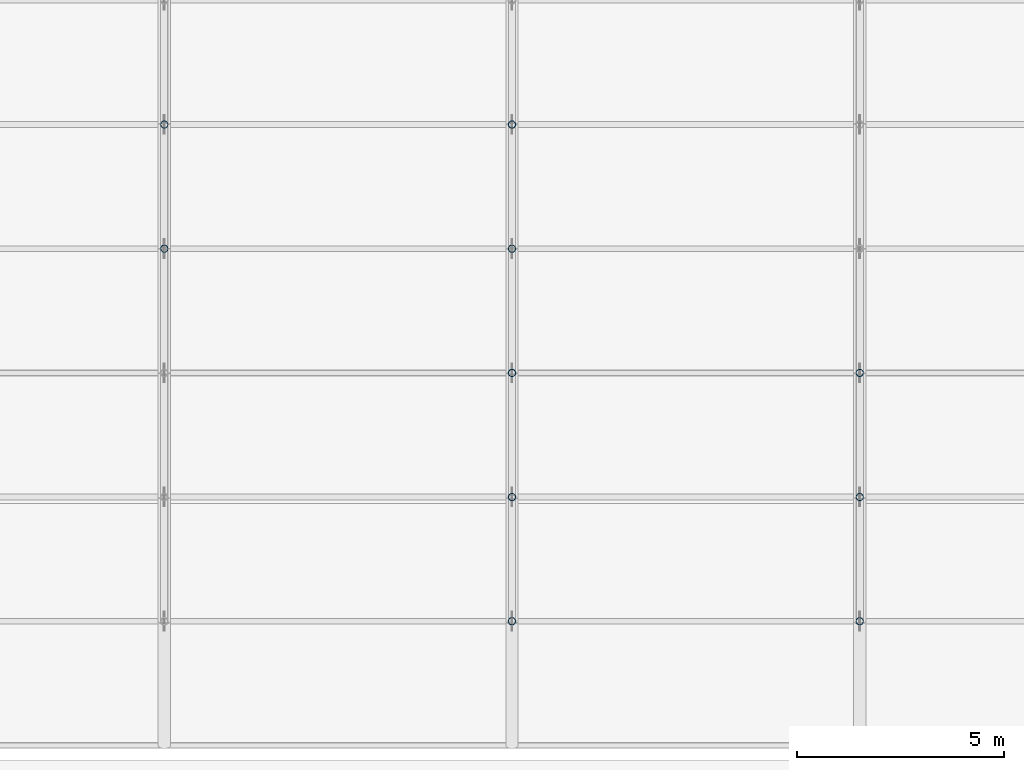
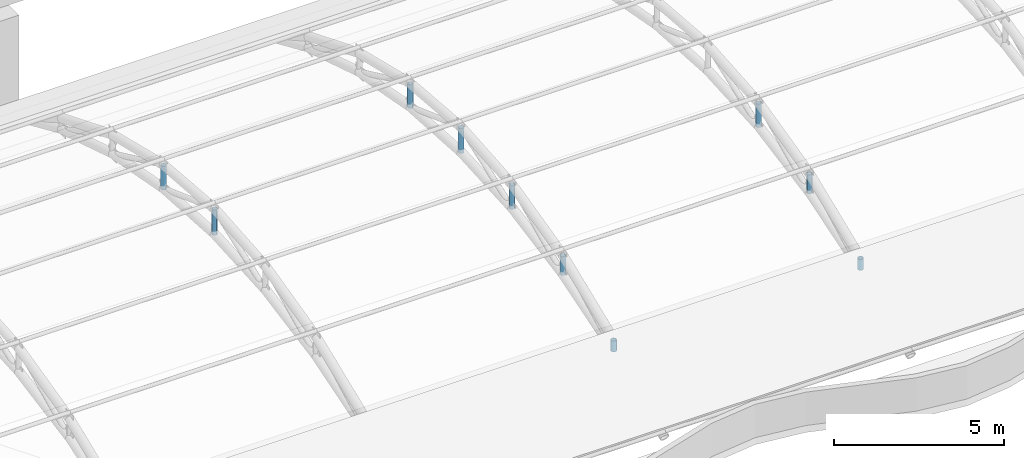
# One storey, part 82 of 163: 10 members.
"""IFC4 building model written with IfcOpenShell, lengths in metres."""

from ifc_helpers import new_model, si_unit, direction, frame, origin, origin_2d, place, context, subcontext, project, spatial, hollow_circle, extrude, material, material_profile, profile_set, type_object, element, save


model = new_model("IFC4")

# Units and contexts
model_context = context("Model", 3, precision=1e-05, world=origin(), true_north=direction((0.0, 1.0)))
body_context = subcontext(model_context, "Body", "Model", "MODEL_VIEW")
ifc_project = project(units=[si_unit("LENGTHUNIT", "METRE"), si_unit("AREAUNIT", "SQUARE_METRE"), si_unit("VOLUMEUNIT", "CUBIC_METRE"), si_unit("PLANEANGLEUNIT", "RADIAN"), si_unit("MASSUNIT", "GRAM", prefix="KILO")], contexts=[model_context])

# Site, building, storey
site_placement = place(None, origin())
site = spatial("IfcSite", under=ifc_project, at=site_placement, CompositionType="ELEMENT")
building_placement = place(site_placement, origin())
building = spatial("IfcBuilding", under=site, at=building_placement, Name="Rain Tree Exposition and Congress Centre", CompositionType="ELEMENT")
storey_placement = place(building_placement, frame((0.0, 0.0, 10.5)))
storey = spatial("IfcBuildingStorey", under=building, at=storey_placement, Name="L02", CompositionType="ELEMENT", Elevation=10.5)

# Members
ifc_material = material(Name="Steel S355J2H", Category="steel")
ifc_material_profile = material_profile(ifc_material, hollow_circle(Radius=0.090087890625, WallThickness=0.008056640625, at=origin_2d()), Name="CHS 180x8")
ifc_profile_set = profile_set([ifc_material_profile], Name="Steel S355J2H")
member_type = type_object("IfcMemberType", Name="Steel post member CHS 180x8", PredefinedType="POST", material=ifc_profile_set)
member_1_placement = place(storey_placement, frame((142.800048828125, 87.60009765625, 3.1298828125), z_axis=(0.0, 0.0, 1.0), x_axis=(1.0, 0.0, 0.0)))
element("IfcMember", 1, at=member_1_placement, inside=storey, type_object=member_type, Name="Roof truss 18 post 4", PredefinedType="POST", context=body_context, shape_type="SweptSolid", body=[
    extrude(hollow_circle(Radius=0.090087890625, WallThickness=0.008056640625, at=origin_2d()), origin(), (0.0, 0.0, 1.0), 0.900146484375),
])
member_2_placement = place(storey_placement, frame((142.800048828125, 90.60009765625, 2.9423828125), z_axis=(0.0, 0.0, 1.0), x_axis=(1.0, 0.0, 0.0)))
element("IfcMember", 2, at=member_2_placement, inside=storey, type_object=member_type, Name="Roof truss 18 post 5", PredefinedType="POST", context=body_context, shape_type="SweptSolid", body=[
    extrude(hollow_circle(Radius=0.090087890625, WallThickness=0.008056640625, at=origin_2d()), origin(), (0.0, 0.0, 1.0), 0.843994140625),
])
member_3_placement = place(storey_placement, frame((151.199951171875, 78.60009765625, 1.4423828125), z_axis=(0.0, 0.0, 1.0), x_axis=(1.0, 0.0, 0.0)))
element("IfcMember", 3, at=member_3_placement, inside=storey, type_object=member_type, Name="Roof truss 19 post 1", PredefinedType="POST", context=body_context, shape_type="SweptSolid", body=[
    extrude(hollow_circle(Radius=0.090087890625, WallThickness=0.008056640625, at=origin_2d()), origin(), (0.0, 0.0, 1.0), 0.393798828125),
])
member_4_placement = place(storey_placement, frame((151.199951171875, 81.60009765625, 2.3798828125), z_axis=(0.0, 0.0, 1.0), x_axis=(1.0, 0.0, 0.0)))
element("IfcMember", 4, at=member_4_placement, inside=storey, type_object=member_type, Name="Roof truss 19 post 2", PredefinedType="POST", context=body_context, shape_type="SweptSolid", body=[
    extrude(hollow_circle(Radius=0.090087890625, WallThickness=0.008056640625, at=origin_2d()), origin(), (0.0, 0.0, 1.0), 0.675048828125),
])
member_5_placement = place(storey_placement, frame((151.199951171875, 84.60009765625, 2.9423828125), z_axis=(0.0, 0.0, 1.0), x_axis=(1.0, 0.0, 0.0)))
element("IfcMember", 5, at=member_5_placement, inside=storey, type_object=member_type, Name="Roof truss 19 post 3", PredefinedType="POST", context=body_context, shape_type="SweptSolid", body=[
    extrude(hollow_circle(Radius=0.090087890625, WallThickness=0.008056640625, at=origin_2d()), origin(), (0.0, 0.0, 1.0), 0.843994140625),
])
member_6_placement = place(storey_placement, frame((151.199951171875, 87.60009765625, 3.1298828125), z_axis=(0.0, 0.0, 1.0), x_axis=(1.0, 0.0, 0.0)))
element("IfcMember", 6, at=member_6_placement, inside=storey, type_object=member_type, Name="Roof truss 19 post 4", PredefinedType="POST", context=body_context, shape_type="SweptSolid", body=[
    extrude(hollow_circle(Radius=0.090087890625, WallThickness=0.008056640625, at=origin_2d()), origin(), (0.0, 0.0, 1.0), 0.900146484375),
])
member_7_placement = place(storey_placement, frame((151.199951171875, 90.60009765625, 2.9423828125), z_axis=(0.0, 0.0, 1.0), x_axis=(1.0, 0.0, 0.0)))
element("IfcMember", 7, at=member_7_placement, inside=storey, type_object=member_type, Name="Roof truss 19 post 5", PredefinedType="POST", context=body_context, shape_type="SweptSolid", body=[
    extrude(hollow_circle(Radius=0.090087890625, WallThickness=0.008056640625, at=origin_2d()), origin(), (0.0, 0.0, 1.0), 0.843994140625),
])
member_8_placement = place(storey_placement, frame((159.60009765625, 78.60009765625, 1.4423828125), z_axis=(0.0, 0.0, 1.0), x_axis=(1.0, 0.0, 0.0)))
element("IfcMember", 8, at=member_8_placement, inside=storey, type_object=member_type, Name="Roof truss 20 post 1", PredefinedType="POST", context=body_context, shape_type="SweptSolid", body=[
    extrude(hollow_circle(Radius=0.090087890625, WallThickness=0.008056640625, at=origin_2d()), origin(), (0.0, 0.0, 1.0), 0.393798828125),
])
member_9_placement = place(storey_placement, frame((159.60009765625, 81.60009765625, 2.3798828125), z_axis=(0.0, 0.0, 1.0), x_axis=(1.0, 0.0, 0.0)))
element("IfcMember", 9, at=member_9_placement, inside=storey, type_object=member_type, Name="Roof truss 20 post 2", PredefinedType="POST", context=body_context, shape_type="SweptSolid", body=[
    extrude(hollow_circle(Radius=0.090087890625, WallThickness=0.008056640625, at=origin_2d()), origin(), (0.0, 0.0, 1.0), 0.675048828125),
])
member_10_placement = place(storey_placement, frame((159.60009765625, 84.60009765625, 2.9423828125), z_axis=(0.0, 0.0, 1.0), x_axis=(1.0, 0.0, 0.0)))
element("IfcMember", 10, at=member_10_placement, inside=storey, type_object=member_type, Name="Roof truss 20 post 3", PredefinedType="POST", context=body_context, shape_type="SweptSolid", body=[
    extrude(hollow_circle(Radius=0.090087890625, WallThickness=0.008056640625, at=origin_2d()), origin(), (0.0, 0.0, 1.0), 0.843994140625),
])

save(model, "model.ifc")
